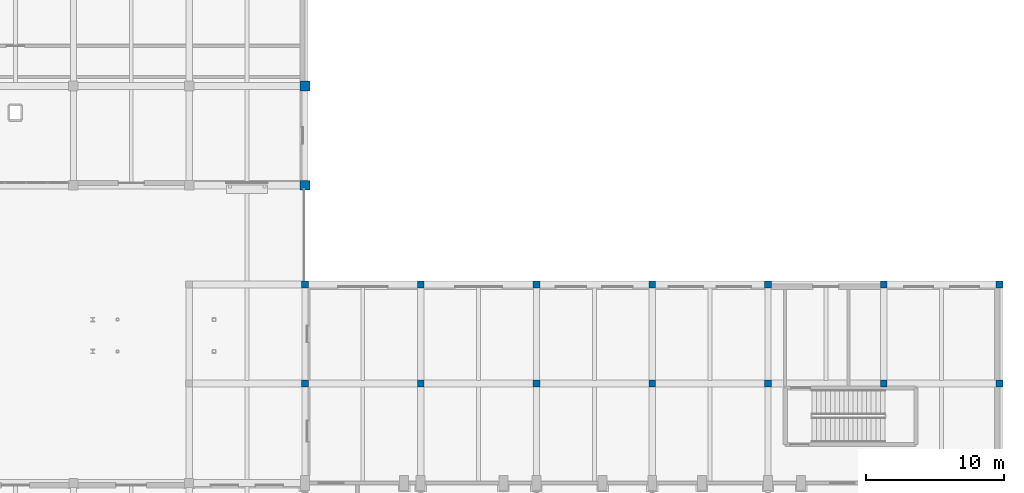
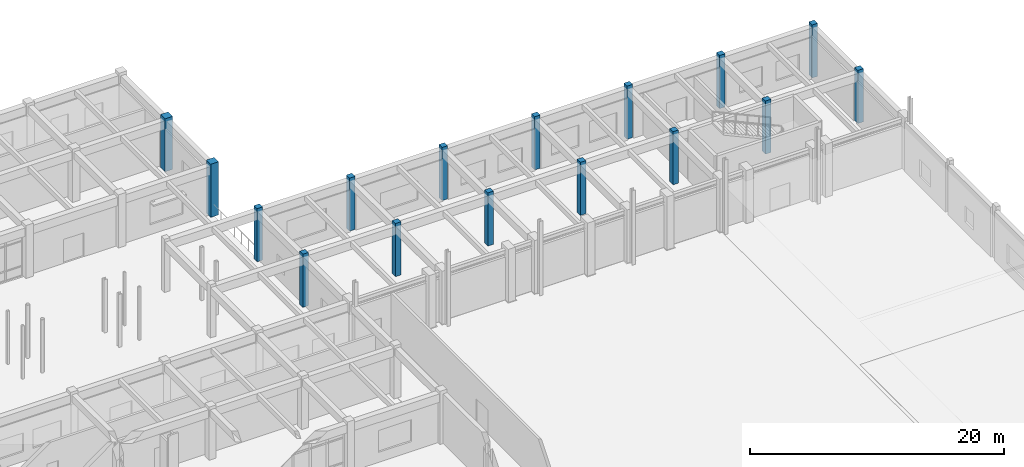
# One storey, part 33 of 121: 16 columns.
"""IFC4 building model written with IfcOpenShell, lengths in metres."""

from ifc_helpers import new_model, si_unit, direction, frame, origin, origin_2d, place, context, subcontext, project, spatial, rectangle, extrude, material, material_profile, profile_set, type_object, element, save


model = new_model("IFC4")

# Units and contexts
model_context = context("Model", 3, precision=1e-05, world=origin(), true_north=direction((0.0, 1.0)))
body_context = subcontext(model_context, "Body", "Model", "MODEL_VIEW")
ifc_project = project(units=[si_unit("LENGTHUNIT", "METRE"), si_unit("AREAUNIT", "SQUARE_METRE"), si_unit("VOLUMEUNIT", "CUBIC_METRE"), si_unit("PLANEANGLEUNIT", "RADIAN"), si_unit("MASSUNIT", "GRAM", prefix="KILO")], contexts=[model_context])

# Site, building, storey
site_placement = place(None, origin())
site = spatial("IfcSite", under=ifc_project, at=site_placement, CompositionType="ELEMENT")
building_placement = place(site_placement, origin())
building = spatial("IfcBuilding", under=site, at=building_placement, Name="Malvenik Polytechnic", CompositionType="ELEMENT")
storey_placement = place(building_placement, origin())
storey = spatial("IfcBuildingStorey", under=building, at=storey_placement, Name="L00", CompositionType="ELEMENT", Elevation=0.0)

# Columns
ifc_material_1 = material(Name="Concrete C40/50", Category="concrete")
ifc_material_profile_1 = material_profile(ifc_material_1, rectangle(XDim=0.699951171875, YDim=0.699951171875, at=origin_2d()), Name="RC COL 700x700")
ifc_profile_set_1 = profile_set([ifc_material_profile_1], Name="Concrete C40/50")
column_type_1 = type_object("IfcColumnType", Name="STR-COL-C-04", PredefinedType="COLUMN", material=ifc_profile_set_1)
for number, where, z_axis, x_axis, name in (
    (1, (134.39990234375, 115.199951171875, 0.0), (0.0, 0.0, 1.0), (1.0, 0.0, 0.0), "Column C-04 L00 (134.4,115.2)"),
    (2, (134.39990234375, 122.39990234375, 0.0), (0.0, 0.0, 1.0), (1.0, 0.0, 0.0), "Column C-04 L00 (134.4,122.4)"),
):
    element("IfcColumn", number, at=place(storey_placement, frame(where, z_axis=z_axis, x_axis=x_axis)), inside=storey, type_object=column_type_1, Name=name, PredefinedType="COLUMN", context=body_context, shape_type="SweptSolid", body=[
        extrude(rectangle(XDim=0.699951171875, YDim=0.699951171875, at=origin_2d()), origin(), (0.0, 0.0, 1.0), 5.10009765625),
    ])
ifc_material_2 = material(Name="Concrete C35/45", Category="concrete")
ifc_material_profile_2 = material_profile(ifc_material_2, rectangle(XDim=0.5, YDim=0.5, at=origin_2d()), Name="RC COL 500x500")
ifc_profile_set_2 = profile_set([ifc_material_profile_2], Name="Concrete C35/45")
column_type_2 = type_object("IfcColumnType", Name="STR-COL-C-08", PredefinedType="COLUMN", material=ifc_profile_set_2)
for number, where, z_axis, x_axis, name in (
    (3, (134.39990234375, 100.800048828125, 0.0), (0.0, 0.0, 1.0), (1.0, 0.0, 0.0), "Column C-08 L00 (134.4,100.8)"),
    (4, (134.39990234375, 108.0, 0.0), (0.0, 0.0, 1.0), (1.0, 0.0, 0.0), "Column C-08 L00 (134.4,108.0)"),
    (5, (142.800048828125, 100.800048828125, 0.0), (0.0, 0.0, 1.0), (1.0, 0.0, 0.0), "Column C-08 L00 (142.8,100.8)"),
    (6, (142.800048828125, 108.0, 0.0), (0.0, 0.0, 1.0), (1.0, 0.0, 0.0), "Column C-08 L00 (142.8,108.0)"),
    (7, (151.199951171875, 100.800048828125, 0.0), (0.0, 0.0, 1.0), (1.0, 0.0, 0.0), "Column C-08 L00 (151.2,100.8)"),
    (8, (151.199951171875, 108.0, 0.0), (0.0, 0.0, 1.0), (1.0, 0.0, 0.0), "Column C-08 L00 (151.2,108.0)"),
    (9, (159.60009765625, 100.800048828125, 0.0), (0.0, 0.0, 1.0), (1.0, 0.0, 0.0), "Column C-08 L00 (159.6,100.8)"),
    (10, (159.60009765625, 108.0, 0.0), (0.0, 0.0, 1.0), (1.0, 0.0, 0.0), "Column C-08 L00 (159.6,108.0)"),
    (11, (168.0, 100.800048828125, 0.0), (0.0, 0.0, 1.0), (1.0, 0.0, 0.0), "Column C-08 L00 (168.0,100.8)"),
    (12, (168.0, 108.0, 0.0), (0.0, 0.0, 1.0), (1.0, 0.0, 0.0), "Column C-08 L00 (168.0,108.0)"),
    (13, (176.39990234375, 100.800048828125, 0.0), (0.0, 0.0, 1.0), (1.0, 0.0, 0.0), "Column C-08 L00 (176.4,100.8)"),
    (14, (176.39990234375, 108.0, 0.0), (0.0, 0.0, 1.0), (1.0, 0.0, 0.0), "Column C-08 L00 (176.4,108.0)"),
    (15, (184.800048828125, 100.800048828125, 0.0), (0.0, 0.0, 1.0), (1.0, 0.0, 0.0), "Column C-08 L00 (184.8,100.8)"),
    (16, (184.800048828125, 108.0, 0.0), (0.0, 0.0, 1.0), (1.0, 0.0, 0.0), "Column C-08 L00 (184.8,108.0)"),
):
    element("IfcColumn", number, at=place(storey_placement, frame(where, z_axis=z_axis, x_axis=x_axis)), inside=storey, type_object=column_type_2, Name=name, PredefinedType="COLUMN", context=body_context, shape_type="SweptSolid", body=[
        extrude(rectangle(XDim=0.5, YDim=0.5, at=origin_2d()), origin(), (0.0, 0.0, 1.0), 5.10009765625),
    ])

save(model, "model.ifc")
